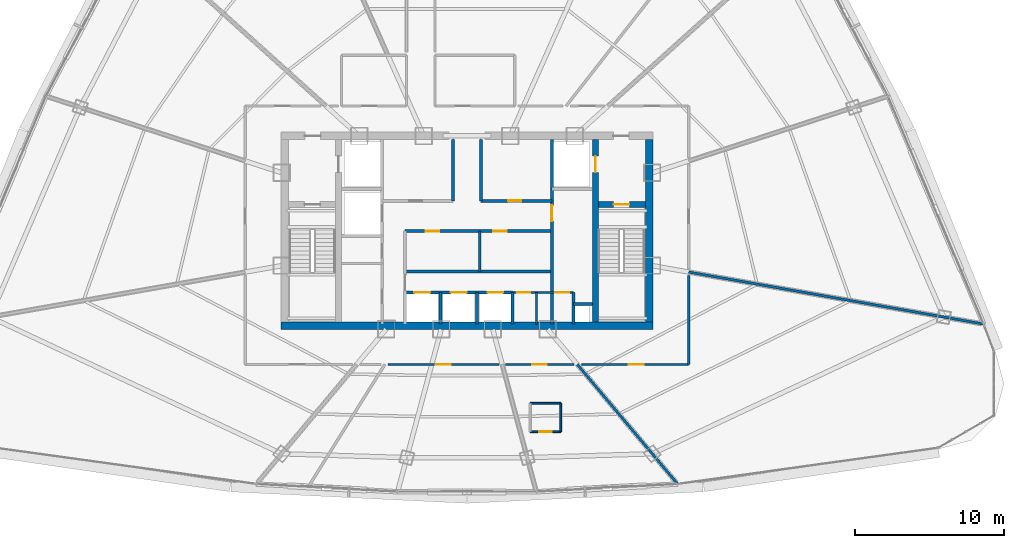
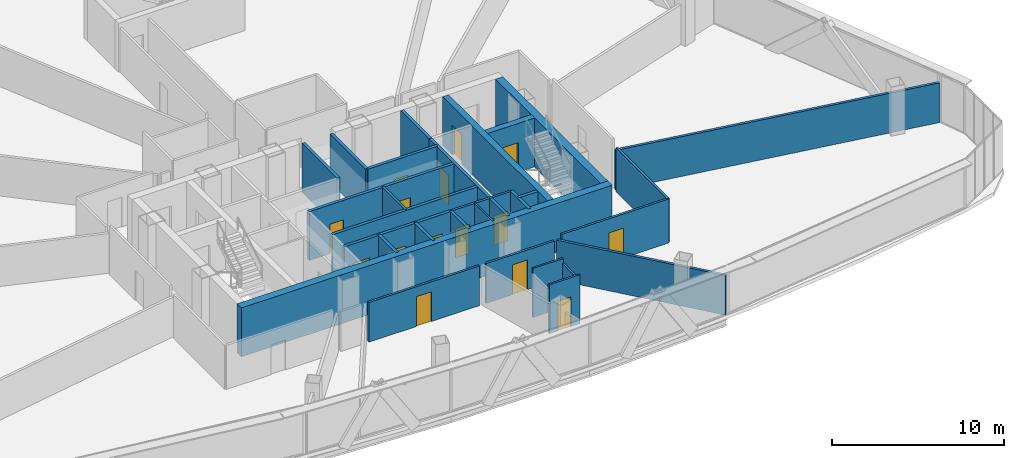
# One storey, part 31 of 36: 29 walls, 15 doors, 15 openings.
"""IFC4 building model written with IfcOpenShell, lengths in metres."""

from ifc_helpers import new_model, si_unit, direction, frame, frame_2d, origin, origin_with_axes, place, context, subcontext, project, spatial, rectangle, extrude, source, transform, mapped, material, layer, layer_set, type_object, element, fill, save


model = new_model("IFC4")

# Units and contexts
model_context = context("Model", 3, precision=1e-05, world=origin(), true_north=direction((0.0, 1.0)))
body_context = subcontext(model_context, "Body", "Model", "MODEL_VIEW")
ifc_project = project(units=[si_unit("LENGTHUNIT", "METRE"), si_unit("AREAUNIT", "SQUARE_METRE"), si_unit("VOLUMEUNIT", "CUBIC_METRE"), si_unit("PLANEANGLEUNIT", "RADIAN"), si_unit("MASSUNIT", "GRAM", prefix="KILO"), si_unit("THERMODYNAMICTEMPERATUREUNIT", "KELVIN"), si_unit("POWERUNIT", "WATT")], contexts=[model_context])

# Site, building, storey
site_placement = place(None, origin())
site = spatial("IfcSite", under=ifc_project, at=site_placement, CompositionType="ELEMENT")
building_placement = place(site_placement, origin())
building = spatial("IfcBuilding", under=site, at=building_placement, Name="Yunzhuo Pagoda Commons", CompositionType="ELEMENT")
storey_placement = place(building_placement, frame((0.0, 0.0, 244.530029296875)))
storey = spatial("IfcBuildingStorey", under=building, at=storey_placement, Name="L61", CompositionType="ELEMENT", Elevation=244.530029296875)

# Walls
ifc_material_1 = material(Name="Concrete C50", Category="concrete")
ifc_layer_1 = layer(ifc_material_1, 0.5)
ifc_layer_set_1 = layer_set([ifc_layer_1], Name="Concrete C50")
wall_type_1 = type_object("IfcWallType", Name="W-C03 Upper Core Shear Wall 500", PredefinedType="SHEAR", material=ifc_layer_set_1)
wall_1_placement = place(storey_placement, frame((35.550048828125, 27.5, 0.0), z_axis=(0.0, 0.0, 1.0), x_axis=(1.0, 0.0, 0.0)))
element("IfcWall", 1, at=wall_1_placement, inside=storey, type_object=wall_type_1, Name="L61 core shear wall S", PredefinedType="SHEAR", context=body_context, shape_type="SweptSolid", body=[
    extrude(rectangle(XDim=24.89990234375, YDim=0.5, at=frame_2d((12.449951171875, 0.0))), origin(), (0.0, 0.0, 1.0), 3.469970703125),
])
wall_2_placement = place(storey_placement, frame((60.199951171875, 27.75, 0.0), z_axis=(0.0, 0.0, 1.0), x_axis=(0.0, 1.0, 0.0)))
element("IfcWall", 2, at=wall_2_placement, inside=storey, type_object=wall_type_1, Name="L61 core shear wall E", PredefinedType="SHEAR", context=body_context, shape_type="SweptSolid", body=[
    extrude(rectangle(XDim=12.199951171875, YDim=0.5, at=frame_2d((6.10009765625, 0.0))), origin(), (0.0, 0.0, 1.0), 3.469970703125),
])
ifc_material_2 = material(Name="Gypsum plasterboard on acoustic stud")
ifc_layer_2 = layer(ifc_material_2, 0.14990234375)
ifc_layer_set_2 = layer_set([ifc_layer_2], Name="Gypsum plasterboard on acoustic stud")
wall_type_2 = type_object("IfcWallType", Name="W-COR3 High-Zone Rated Corridor Wall 150", PredefinedType="PARTITIONING", material=ifc_layer_set_2)
wall_3_placement = place(storey_placement, frame((48.85009765625, 31.1201171875, 0.0), z_axis=(0.0, 0.0, 1.0), x_axis=(0.0, 1.0, 0.0)))
element("IfcWall", 3, at=wall_3_placement, inside=storey, type_object=wall_type_2, Name="L61 interior wall IW-L61-FRMD", PredefinedType="PARTITIONING", context=body_context, shape_type="SweptSolid", body=[
    extrude(rectangle(XDim=2.699951171875, YDim=0.14990234375, at=frame_2d((1.35009765625, 0.0))), origin(), (0.0, 0.0, 1.0), 3.469970703125),
])

# Wall, openings, doors
wall_4_placement = place(storey_placement, frame((51.050048828125, 29.719970703125, 0.0), z_axis=(0.0, 0.0, 1.0), x_axis=(1.0, 0.0, 0.0)))
wall_4 = element("IfcWall", 4, at=wall_4_placement, inside=storey, type_object=wall_type_2, Name="L61 interior wall IW-L61-CSES", PredefinedType="PARTITIONING", context=body_context, shape_type="SweptSolid", body=[
    extrude(rectangle(XDim=4.070068359375, YDim=0.14990234375, at=frame_2d((2.03515625, 0.0))), origin(), (0.0, 0.0, 1.0), 3.469970703125),
])
opening_1_placement = place(wall_4_placement, frame((0.300048828125, 0.0, 0.0)))
opening_1 = element("IfcOpeningElement", 5, at=opening_1_placement, cuts=wall_4, Name="Opening D-03", PredefinedType="OPENING", context=body_context, shape_type="SweptSolid", body=[
    extrude(rectangle(XDim=0.89990234375, YDim=2.10009765625, at=frame_2d((0.449951171875, 1.050048828125))), frame((0.0, 0.0849609375, 0.0), z_axis=(0.0, -1.0, 0.0), x_axis=(1.0, 0.0, 0.0)), (0.0, 0.0, 1.0), 0.169921875),
])
opening_2_placement = place(wall_4_placement, frame((2.860107421875, 0.0, 0.0)))
opening_2 = element("IfcOpeningElement", 6, at=opening_2_placement, cuts=wall_4, Name="Opening D-11", PredefinedType="OPENING", context=body_context, shape_type="SweptSolid", body=[
    extrude(rectangle(XDim=0.93994140625, YDim=2.10009765625, at=frame_2d((0.469970703125, 1.050048828125))), frame((0.0, 0.0849609375, 0.0), z_axis=(0.0, -1.0, 0.0), x_axis=(1.0, 0.0, 0.0)), (0.0, 0.0, 1.0), 0.169921875),
])
ifc_material_3 = material(Name="Galvanized fire-resisting metal leaf")
door_type_1 = type_object("IfcDoorType", Name="D-03 Core Service Fire Door 900x2100", OperationType="NOTDEFINED", PredefinedType="DOOR", material=ifc_material_3)
shared_shape_1 = source(origin(), body_context, "Body", "SweptSolid", [
    extrude(rectangle(XDim=0.89990234375, YDim=2.10009765625, at=frame_2d((0.449951171875, 1.050048828125))), frame((0.0, 0.02490234375, 0.0), z_axis=(0.0, -1.0, 0.0), x_axis=(1.0, 0.0, 0.0)), (0.0, 0.0, 1.0), 0.050048828125),
])
door_1_placement = place(opening_1_placement, origin_with_axes())
door_1 = element("IfcDoor", 7, at=door_1_placement, inside=storey, type_object=door_type_1, Name="L61 cleaner door", OperationType="SINGLE_SWING_LEFT", OverallHeight=2.10009765625, OverallWidth=0.89990234375, PredefinedType="DOOR", context=body_context, shape_type="MappedRepresentation", body=[
    mapped(shared_shape_1, transform((0.0, 0.0, 0.0), scale=1.0)),
])
fill(opening_1, door_1)
door_type_2 = type_object("IfcDoorType", Name="D-11 Accessible Washroom Fire Door 940x2100", OperationType="NOTDEFINED", PredefinedType="DOOR", material=ifc_material_3)
shared_shape_2 = source(origin(), body_context, "Body", "SweptSolid", [
    extrude(rectangle(XDim=0.93994140625, YDim=2.10009765625, at=frame_2d((0.469970703125, 1.050048828125))), frame((0.0, 0.02490234375, 0.0), z_axis=(0.0, -1.0, 0.0), x_axis=(1.0, 0.0, 0.0)), (0.0, 0.0, 1.0), 0.050048828125),
])
door_2_placement = place(opening_2_placement, origin_with_axes())
door_2 = element("IfcDoor", 8, at=door_2_placement, inside=storey, type_object=door_type_2, Name="L61 core WC door", OperationType="SINGLE_SWING_RIGHT", OverallHeight=2.10009765625, OverallWidth=0.93994140625, PredefinedType="DOOR", context=body_context, shape_type="MappedRepresentation", body=[
    mapped(shared_shape_2, transform((0.0, 0.0, 0.0), scale=1.0)),
])
fill(opening_2, door_2)

# Wall
wall_5_placement = place(storey_placement, frame((62.85009765625, 30.858154296875, 0.0), z_axis=(0.0, 0.0, 1.0), x_axis=(0.0, -1.0, 0.0)))
element("IfcWall", 9, at=wall_5_placement, inside=storey, type_object=wall_type_2, Name="L61 interior wall IW-L61-CWL13", PredefinedType="PARTITIONING", context=body_context, shape_type="SweptSolid", body=[
    extrude(rectangle(XDim=5.958251953125, YDim=0.14990234375, at=frame_2d((2.97900390625, 0.0))), origin(), (0.0, 0.0, 1.0), 3.119873046875),
])

# Wall, opening, door
wall_6_placement = place(storey_placement, frame((62.85009765625, 24.89990234375, 0.0), z_axis=(0.0, 0.0, 1.0), x_axis=(-1.0, 0.0, 0.0)))
wall_6 = element("IfcWall", 10, at=wall_6_placement, inside=storey, type_object=wall_type_2, Name="L61 interior wall IW-L61-CWL14", PredefinedType="PARTITIONING", context=body_context, shape_type="SweptSolid", body=[
    extrude(rectangle(XDim=7.1787109375, YDim=0.14990234375, at=frame_2d((3.58935546875, 0.0))), origin(), (0.0, 0.0, 1.0), 3.119873046875),
])
opening_3_placement = place(wall_6_placement, frame((3.028076171875, 0.0, 0.0)))
opening_3 = element("IfcOpeningElement", 11, at=opening_3_placement, cuts=wall_6, Name="Opening D-08", PredefinedType="OPENING", context=body_context, shape_type="SweptSolid", body=[
    extrude(rectangle(XDim=0.97998046875, YDim=2.1201171875, at=frame_2d((0.489990234375, 1.06005859375))), frame((0.0, 0.0849609375, 0.0), z_axis=(0.0, -1.0, 0.0), x_axis=(1.0, 0.0, 0.0)), (0.0, 0.0, 1.0), 0.169921875),
])
door_type_3 = type_object("IfcDoorType", Name="D-08 High-Zone Suite Entrance Fire Door 980x2120", OperationType="NOTDEFINED", PredefinedType="DOOR", material=ifc_material_3)
shared_shape_3 = source(origin(), body_context, "Body", "SweptSolid", [
    extrude(rectangle(XDim=0.97998046875, YDim=2.1201171875, at=frame_2d((0.489990234375, 1.06005859375))), frame((0.0, 0.02490234375, 0.0), z_axis=(0.0, -1.0, 0.0), x_axis=(1.0, 0.0, 0.0)), (0.0, 0.0, 1.0), 0.050048828125),
])
door_3_placement = place(opening_3_placement, origin_with_axes())
door_3 = element("IfcDoor", 12, at=door_3_placement, inside=storey, type_object=door_type_3, Name="L61 unit 12 entrance door", OperationType="SINGLE_SWING_LEFT", OverallHeight=2.1201171875, OverallWidth=0.97998046875, PredefinedType="DOOR", context=body_context, shape_type="MappedRepresentation", body=[
    mapped(shared_shape_3, transform((0.0, 0.0, 0.0), scale=1.0)),
])
fill(opening_3, door_3)

wall_7_placement = place(storey_placement, frame((55.164306640625, 24.89990234375, 0.0), z_axis=(0.0, 0.0, 1.0), x_axis=(-1.0, 0.0, 0.0)))
wall_7 = element("IfcWall", 13, at=wall_7_placement, inside=storey, type_object=wall_type_2, Name="L61 interior wall IW-L61-CWL15", PredefinedType="PARTITIONING", context=body_context, shape_type="SweptSolid", body=[
    extrude(rectangle(XDim=4.57861328125, YDim=0.14990234375, at=frame_2d((2.289306640625, 0.0))), origin(), (0.0, 0.0, 1.0), 2.820068359375),
])
opening_4_placement = place(wall_7_placement, frame((1.818115234375, 0.0, 0.0)))
opening_4 = element("IfcOpeningElement", 14, at=opening_4_placement, cuts=wall_7, Name="Opening D-08", PredefinedType="OPENING", context=body_context, shape_type="SweptSolid", body=[
    extrude(rectangle(XDim=0.97998046875, YDim=2.1201171875, at=frame_2d((0.489990234375, 1.06005859375))), frame((0.0, 0.0849609375, 0.0), z_axis=(0.0, -1.0, 0.0), x_axis=(1.0, 0.0, 0.0)), (0.0, 0.0, 1.0), 0.169921875),
])
door_4_placement = place(opening_4_placement, origin_with_axes())
door_4 = element("IfcDoor", 15, at=door_4_placement, inside=storey, type_object=door_type_3, Name="L61 unit 11 entrance door", OperationType="SINGLE_SWING_RIGHT", OverallHeight=2.1201171875, OverallWidth=0.97998046875, PredefinedType="DOOR", context=body_context, shape_type="MappedRepresentation", body=[
    mapped(shared_shape_3, transform((0.0, 0.0, 0.0), scale=1.0)),
])
fill(opening_4, door_4)

wall_8_placement = place(storey_placement, frame((50.13818359375, 24.89990234375, 0.0), z_axis=(0.0, 0.0, 1.0), x_axis=(-1.0, 0.0, 0.0)))
wall_8 = element("IfcWall", 16, at=wall_8_placement, inside=storey, type_object=wall_type_2, Name="L61 interior wall IW-L61-CWL16", PredefinedType="PARTITIONING", context=body_context, shape_type="SweptSolid", body=[
    extrude(rectangle(XDim=7.417236328125, YDim=0.14990234375, at=frame_2d((3.70849609375, 0.0))), origin(), (0.0, 0.0, 1.0), 2.820068359375),
])
opening_5_placement = place(wall_8_placement, frame((3.233642578125, 0.0, 0.0)))
opening_5 = element("IfcOpeningElement", 17, at=opening_5_placement, cuts=wall_8, Name="Opening D-08", PredefinedType="OPENING", context=body_context, shape_type="SweptSolid", body=[
    extrude(rectangle(XDim=0.97998046875, YDim=2.1201171875, at=frame_2d((0.489990234375, 1.06005859375))), frame((0.0, 0.0849609375, 0.0), z_axis=(0.0, -1.0, 0.0), x_axis=(1.0, 0.0, 0.0)), (0.0, 0.0, 1.0), 0.169921875),
])
door_5_placement = place(opening_5_placement, origin_with_axes())
door_5 = element("IfcDoor", 18, at=door_5_placement, inside=storey, type_object=door_type_3, Name="L61 Resident Co-Living Commons Hall door", OperationType="SINGLE_SWING_LEFT", OverallHeight=2.1201171875, OverallWidth=0.97998046875, PredefinedType="DOOR", context=body_context, shape_type="MappedRepresentation", body=[
    mapped(shared_shape_3, transform((0.0, 0.0, 0.0), scale=1.0)),
])
fill(opening_5, door_5)

# Wall
ifc_layer_3 = layer(ifc_material_2, 0.1201171875)
ifc_layer_set_3 = layer_set([ifc_layer_3], Name="Gypsum plasterboard on acoustic stud")
wall_type_3 = type_object("IfcWallType", Name="W-PRT1 Suite & Bathroom Partition 120", PredefinedType="PARTITIONING", material=ifc_layer_set_3)
wall_9_placement = place(storey_placement, frame((52.64990234375, 27.60009765625, 0.0), z_axis=(0.0, 0.0, 1.0), x_axis=(0.0, 1.0, 0.0)))
element("IfcWall", 19, at=wall_9_placement, inside=storey, type_object=wall_type_3, Name="L61 interior wall IW-L61-CD2", PredefinedType="PARTITIONING", context=body_context, shape_type="SweptSolid", body=[
    extrude(rectangle(XDim=2.119873046875, YDim=0.1201171875, at=frame_2d((1.06005859375, 0.0))), origin(), (0.0, 0.0, 1.0), 3.469970703125),
])

# Wall, opening, door
wall_10_placement = place(storey_placement, frame((52.22900390625, 20.389892578125, 0.0), z_axis=(0.0, 0.0, 1.0), x_axis=(1.0, 0.0, 0.0)))
wall_10 = element("IfcWall", 20, at=wall_10_placement, inside=storey, type_object=wall_type_3, Name="L61 interior wall IW-L61-B11S", PredefinedType="PARTITIONING", context=body_context, shape_type="SweptSolid", body=[
    extrude(rectangle(XDim=2.050048828125, YDim=0.1201171875, at=frame_2d((1.02490234375, 0.0))), origin(), (0.0, 0.0, 1.0), 3.469970703125),
])
opening_6_placement = place(wall_10_placement, frame((0.60009765625, 0.0, 0.0)))
opening_6 = element("IfcOpeningElement", 21, at=opening_6_placement, cuts=wall_10, Name="Opening D-05", PredefinedType="OPENING", context=body_context, shape_type="SweptSolid", body=[
    extrude(rectangle(XDim=0.85009765625, YDim=2.10009765625, at=frame_2d((0.425048828125, 1.050048828125))), frame((0.0, 0.070068359375, 0.0), z_axis=(0.0, -1.0, 0.0), x_axis=(1.0, 0.0, 0.0)), (0.0, 0.0, 1.0), 0.14013671875),
])
ifc_material_4 = material(Name="Powder-coated aluminium and timber acoustic leaf", Category="wood")
door_type_4 = type_object("IfcDoorType", Name="D-05 En-Suite Bathroom Door 850x2100", OperationType="NOTDEFINED", PredefinedType="DOOR", material=ifc_material_4)
shared_shape_4 = source(origin(), body_context, "Body", "SweptSolid", [
    extrude(rectangle(XDim=0.85009765625, YDim=2.10009765625, at=frame_2d((0.425048828125, 1.050048828125))), frame((0.0, 0.02490234375, 0.0), z_axis=(0.0, -1.0, 0.0), x_axis=(1.0, 0.0, 0.0)), (0.0, 0.0, 1.0), 0.050048828125),
])
door_6_placement = place(opening_6_placement, frame((0.85009765625, 0.0, 0.0), z_axis=(0.0, 0.0, 1.0), x_axis=(-1.0, 0.0, 0.0)))
door_6 = element("IfcDoor", 22, at=door_6_placement, inside=storey, type_object=door_type_4, Name="L61 unit 11 bathroom door", OperationType="SINGLE_SWING_RIGHT", OverallHeight=2.10009765625, OverallWidth=0.85009765625, PredefinedType="DOOR", context=body_context, shape_type="MappedRepresentation", body=[
    mapped(shared_shape_4, transform((0.0, 0.0, 0.0), scale=1.0)),
])
fill(opening_6, door_6)

# Walls
wall_11_placement = place(storey_placement, frame((54.279052734375, 20.389892578125, 0.0), z_axis=(0.0, 0.0, 1.0), x_axis=(0.0, 1.0, 0.0)))
element("IfcWall", 23, at=wall_11_placement, inside=storey, type_object=wall_type_3, Name="L61 interior wall IW-L61-B11E", PredefinedType="PARTITIONING", context=body_context, shape_type="SweptSolid", body=[
    extrude(rectangle(XDim=1.900146484375, YDim=0.1201171875, at=frame_2d((0.9501953125, 0.0))), origin(), (0.0, 0.0, 1.0), 3.119873046875),
])
wall_12_placement = place(storey_placement, frame((54.279052734375, 22.2900390625, 0.0), z_axis=(0.0, 0.0, 1.0), x_axis=(-1.0, 0.0, 0.0)))
element("IfcWall", 24, at=wall_12_placement, inside=storey, type_object=wall_type_3, Name="L61 interior wall IW-L61-B11N", PredefinedType="PARTITIONING", context=body_context, shape_type="SweptSolid", body=[
    extrude(rectangle(XDim=2.050048828125, YDim=0.1201171875, at=frame_2d((1.02490234375, 0.0))), origin(), (0.0, 0.0, 1.0), 3.469970703125),
])
ifc_layer_4 = layer(ifc_material_2, 0.169921875)
ifc_layer_set_4 = layer_set([ifc_layer_4], Name="Gypsum plasterboard on acoustic stud")
wall_type_4 = type_object("IfcWallType", Name="W-PRT4 High-Zone Demising Wall 170", PredefinedType="PARTITIONING", material=ifc_layer_set_4)
wall_13_placement = place(storey_placement, frame((55.384033203125, 24.89990234375, 0.0), z_axis=(0.0, 0.0, 1.0), x_axis=(0.642788120563, -0.766044014443, 0.0)))
element("IfcWall", 25, at=wall_13_placement, inside=storey, type_object=wall_type_4, Name="L61 interior wall IW-L61-RAD11", PredefinedType="PARTITIONING", context=body_context, shape_type="SweptSolid", body=[
    extrude(rectangle(XDim=10.46240234375, YDim=0.169921875, at=frame_2d((5.231201171875, 0.0))), origin(), (0.0, 0.0, 1.0), 2.820068359375),
])
wall_14_placement = place(storey_placement, frame((62.85009765625, 31.08154296875, 0.0), z_axis=(0.0, 0.0, 1.0), x_axis=(0.984808421785, -0.173644384824, 0.0)))
element("IfcWall", 26, at=wall_14_placement, inside=storey, type_object=wall_type_4, Name="L61 interior wall IW-L61-RAD12", PredefinedType="PARTITIONING", context=body_context, shape_type="SweptSolid", body=[
    extrude(rectangle(XDim=20.05908203125, YDim=0.169921875, at=frame_2d((10.029541015625, 0.0))), origin(), (0.0, 0.0, 1.0), 2.820068359375),
])

# Wall, opening, door
ifc_material_5 = material(Name="Concrete C60", Category="concrete")
ifc_layer_5 = layer(ifc_material_5, 0.39990234375)
ifc_layer_set_5 = layer_set([ifc_layer_5], Name="Concrete C60")
wall_type_5 = type_object("IfcWallType", Name="W-S01 Internal Core Shear Web 400", PredefinedType="SHEAR", material=ifc_layer_set_5)
wall_15_placement = place(storey_placement, frame((56.60009765625, 27.75, 0.0), z_axis=(0.0, 0.0, 1.0), x_axis=(0.0, 1.0, 0.0)))
wall_15 = element("IfcWall", 27, at=wall_15_placement, inside=storey, type_object=wall_type_5, Name="L61 core shear wall WEBE", PredefinedType="SHEAR", context=body_context, shape_type="SweptSolid", body=[
    extrude(rectangle(XDim=12.199951171875, YDim=0.39990234375, at=frame_2d((6.10009765625, 0.0))), origin(), (0.0, 0.0, 1.0), 3.469970703125),
])
opening_7_placement = place(wall_15_placement, frame((10.0, 0.0, 0.0)))
opening_7 = element("IfcOpeningElement", 28, at=opening_7_placement, cuts=wall_15, Name="Opening LD-01", PredefinedType="OPENING", context=body_context, shape_type="SweptSolid", body=[
    extrude(rectangle(XDim=1.10009765625, YDim=2.10009765625, at=frame_2d((0.550048828125, 1.050048828125))), frame((0.0, 0.2099609375, 0.0), z_axis=(0.0, -1.0, 0.0), x_axis=(1.0, 0.0, 0.0)), (0.0, 0.0, 1.0), 0.419921875),
])
door_type_5 = type_object("IfcDoorType", Name="LD-01 Firefighting Lift Landing Door 1100x2100", OperationType="DOUBLE_DOOR_SLIDING", PredefinedType="DOOR", material=ifc_material_3)
shared_shape_5 = source(origin(), body_context, "Body", "SweptSolid", [
    extrude(rectangle(XDim=1.10009765625, YDim=2.10009765625, at=frame_2d((0.550048828125, 1.050048828125))), frame((0.0, 0.02490234375, 0.0), z_axis=(0.0, -1.0, 0.0), x_axis=(1.0, 0.0, 0.0)), (0.0, 0.0, 1.0), 0.050048828125),
])
door_7_placement = place(opening_7_placement, origin_with_axes())
door_7 = element("IfcDoor", 29, at=door_7_placement, inside=storey, type_object=door_type_5, Name="L61 Firefighting lift FL-2 landing door", OperationType="DOUBLE_DOOR_SLIDING", OverallHeight=2.10009765625, OverallWidth=1.10009765625, PredefinedType="DOOR", context=body_context, shape_type="MappedRepresentation", body=[
    mapped(shared_shape_5, transform((0.0, 0.0, 0.0), scale=1.0)),
])
fill(opening_7, door_7)

wall_16_placement = place(storey_placement, frame((56.800048828125, 35.60009765625, 0.0), z_axis=(0.0, 0.0, 1.0), x_axis=(1.0, 0.0, 0.0)))
wall_16 = element("IfcWall", 30, at=wall_16_placement, inside=storey, type_object=wall_type_5, Name="L61 core shear wall STE", PredefinedType="SHEAR", context=body_context, shape_type="SweptSolid", body=[
    extrude(rectangle(XDim=3.14990234375, YDim=0.39990234375, at=frame_2d((1.574951171875, 0.0))), origin(), (0.0, 0.0, 1.0), 3.469970703125),
])
opening_8_placement = place(wall_16_placement, frame((1.02001953125, 0.0, 0.0)))
opening_8 = element("IfcOpeningElement", 31, at=opening_8_placement, cuts=wall_16, Name="Opening D-01", PredefinedType="OPENING", context=body_context, shape_type="SweptSolid", body=[
    extrude(rectangle(XDim=1.050048828125, YDim=2.10009765625, at=frame_2d((0.52490234375, 1.050048828125))), frame((0.0, 0.2099609375, 0.0), z_axis=(0.0, -1.0, 0.0), x_axis=(1.0, 0.0, 0.0)), (0.0, 0.0, 1.0), 0.419921875),
])
door_type_6 = type_object("IfcDoorType", Name="D-01 Smokeproof Stair Fire Door 1050x2100", OperationType="NOTDEFINED", PredefinedType="DOOR", material=ifc_material_3)
shared_shape_6 = source(origin(), body_context, "Body", "SweptSolid", [
    extrude(rectangle(XDim=1.050048828125, YDim=2.10009765625, at=frame_2d((0.52490234375, 1.050048828125))), frame((0.0, 0.02490234375, 0.0), z_axis=(0.0, -1.0, 0.0), x_axis=(1.0, 0.0, 0.0)), (0.0, 0.0, 1.0), 0.050048828125),
])
door_8_placement = place(opening_8_placement, frame((1.050048828125, 0.0, 0.0), z_axis=(0.0, 0.0, 1.0), x_axis=(-1.0, 0.0, 0.0)))
door_8 = element("IfcDoor", 32, at=door_8_placement, inside=storey, type_object=door_type_6, Name="L61 Stair ST2 fire door", OperationType="SINGLE_SWING_RIGHT", OverallHeight=2.10009765625, OverallWidth=1.050048828125, PredefinedType="DOOR", context=body_context, shape_type="MappedRepresentation", body=[
    mapped(shared_shape_6, transform((0.0, 0.0, 0.0), scale=1.0)),
])
fill(opening_8, door_8)

# Wall
ifc_material_6 = material(Name="Concrete C40", Category="concrete")
ifc_layer_6 = layer(ifc_material_6, 0.199951171875)
ifc_layer_set_6 = layer_set([ifc_layer_6], Name="Concrete C40")
wall_type_6 = type_object("IfcWallType", Name="W-SHF Shaft & Stair Enclosure Wall 200", PredefinedType="SOLIDWALL", material=ifc_layer_set_6)
wall_17_placement = place(storey_placement, frame((53.679931640625, 36.64990234375, 0.0), z_axis=(0.0, 0.0, 1.0), x_axis=(0.0, 1.0, 0.0)))
element("IfcWall", 33, at=wall_17_placement, inside=storey, type_object=wall_type_6, Name="L61 interior wall IW-L61-FL2W", PredefinedType="SOLIDWALL", context=body_context, shape_type="SweptSolid", body=[
    extrude(rectangle(XDim=3.300048828125, YDim=0.199951171875, at=frame_2d((1.64990234375, 0.0))), origin(), (0.0, 0.0, 1.0), 3.469970703125),
])

# Wall, opening, door
wall_18_placement = place(storey_placement, frame((48.949951171875, 35.85009765625, 0.0), z_axis=(0.0, 0.0, 1.0), x_axis=(1.0, 0.0, 0.0)))
wall_18 = element("IfcWall", 34, at=wall_18_placement, inside=storey, type_object=wall_type_6, Name="L61 interior wall IW-L61-LBNE", PredefinedType="SOLIDWALL", context=body_context, shape_type="SweptSolid", body=[
    extrude(rectangle(XDim=4.72998046875, YDim=0.199951171875, at=frame_2d((2.364990234375, 0.0))), origin(), (0.0, 0.0, 1.0), 3.469970703125),
])
opening_9_placement = place(wall_18_placement, frame((1.800048828125, 0.0, 0.0)))
opening_9 = element("IfcOpeningElement", 35, at=opening_9_placement, cuts=wall_18, Name="Opening D-03", PredefinedType="OPENING", context=body_context, shape_type="SweptSolid", body=[
    extrude(rectangle(XDim=0.89990234375, YDim=2.10009765625, at=frame_2d((0.449951171875, 1.050048828125))), frame((0.0, 0.10986328125, 0.0), z_axis=(0.0, -1.0, 0.0), x_axis=(1.0, 0.0, 0.0)), (0.0, 0.0, 1.0), 0.219970703125),
])
door_9_placement = place(opening_9_placement, frame((0.89990234375, 0.0, 0.0), z_axis=(0.0, 0.0, 1.0), x_axis=(-1.0, 0.0, 0.0)))
door_9 = element("IfcDoor", 36, at=door_9_placement, inside=storey, type_object=door_type_1, Name="L61 core east store door", OperationType="SINGLE_SWING_RIGHT", OverallHeight=2.10009765625, OverallWidth=0.89990234375, PredefinedType="DOOR", context=body_context, shape_type="MappedRepresentation", body=[
    mapped(shared_shape_1, transform((0.0, 0.0, 0.0), scale=1.0)),
])
fill(opening_9, door_9)

# Walls
for number, where, z_axis, x_axis, name in (
    (37, (47.050048828125, 35.85009765625, 0.0), (0.0, 0.0, 1.0), (0.0, 1.0, 0.0), "L61 interior wall IW-L61-THRW"),
    (38, (48.949951171875, 35.85009765625, 0.0), (0.0, 0.0, 1.0), (0.0, 1.0, 0.0), "L61 interior wall IW-L61-THRE"),
):
    element("IfcWall", number, at=place(storey_placement, frame(where, z_axis=z_axis, x_axis=x_axis)), inside=storey, type_object=wall_type_6, Name=name, PredefinedType="SOLIDWALL", context=body_context, shape_type="SweptSolid", body=[
        extrude(rectangle(XDim=4.099853515625, YDim=0.199951171875, at=frame_2d((2.0498046875, 0.0))), origin(), (0.0, 0.0, 1.0), 3.469970703125),
    ])

# Wall, openings, doors
wall_19_placement = place(storey_placement, frame((43.85009765625, 33.820068359375, 0.0), z_axis=(0.0, 0.0, 1.0), x_axis=(1.0, 0.0, 0.0)))
wall_19 = element("IfcWall", 39, at=wall_19_placement, inside=storey, type_object=wall_type_6, Name="L61 interior wall IW-L61-MLBS", PredefinedType="SOLIDWALL", context=body_context, shape_type="SweptSolid", body=[
    extrude(rectangle(XDim=9.829833984375, YDim=0.199951171875, at=frame_2d((4.9150390625, 0.0))), origin(), (0.0, 0.0, 1.0), 3.469970703125),
])
opening_10_placement = place(wall_19_placement, frame((1.39990234375, 0.0, 0.0)))
opening_10 = element("IfcOpeningElement", 40, at=opening_10_placement, cuts=wall_19, Name="Opening D-03", PredefinedType="OPENING", context=body_context, shape_type="SweptSolid", body=[
    extrude(rectangle(XDim=0.89990234375, YDim=2.10009765625, at=frame_2d((0.449951171875, 1.050048828125))), frame((0.0, 0.10986328125, 0.0), z_axis=(0.0, -1.0, 0.0), x_axis=(1.0, 0.0, 0.0)), (0.0, 0.0, 1.0), 0.219970703125),
])
opening_11_placement = place(wall_19_placement, frame((5.89990234375, 0.0, 0.0)))
opening_11 = element("IfcOpeningElement", 41, at=opening_11_placement, cuts=wall_19, Name="Opening D-03", PredefinedType="OPENING", context=body_context, shape_type="SweptSolid", body=[
    extrude(rectangle(XDim=0.89990234375, YDim=2.10009765625, at=frame_2d((0.449951171875, 1.050048828125))), frame((0.0, 0.10986328125, 0.0), z_axis=(0.0, -1.0, 0.0), x_axis=(1.0, 0.0, 0.0)), (0.0, 0.0, 1.0), 0.219970703125),
])
door_10_placement = place(opening_10_placement, origin_with_axes())
door_10 = element("IfcDoor", 42, at=door_10_placement, inside=storey, type_object=door_type_1, Name="L61 core mid-west store door", OperationType="SINGLE_SWING_LEFT", OverallHeight=2.10009765625, OverallWidth=0.89990234375, PredefinedType="DOOR", context=body_context, shape_type="MappedRepresentation", body=[
    mapped(shared_shape_1, transform((0.0, 0.0, 0.0), scale=1.0)),
])
fill(opening_10, door_10)
door_11_placement = place(opening_11_placement, origin_with_axes())
door_11 = element("IfcDoor", 43, at=door_11_placement, inside=storey, type_object=door_type_1, Name="L61 core mid-east store door", OperationType="SINGLE_SWING_RIGHT", OverallHeight=2.10009765625, OverallWidth=0.89990234375, PredefinedType="DOOR", context=body_context, shape_type="MappedRepresentation", body=[
    mapped(shared_shape_1, transform((0.0, 0.0, 0.0), scale=1.0)),
])
fill(opening_11, door_11)

# Wall, opening, door
wall_20_placement = place(storey_placement, frame((53.679931640625, 27.60009765625, 0.0), z_axis=(0.0, 0.0, 1.0), x_axis=(0.0, 1.0, 0.0)))
wall_20 = element("IfcWall", 44, at=wall_20_placement, inside=storey, type_object=wall_type_6, Name="L61 interior wall IW-L61-PLME", PredefinedType="SOLIDWALL", context=body_context, shape_type="SweptSolid", body=[
    extrude(rectangle(XDim=9.0498046875, YDim=0.199951171875, at=frame_2d((4.52490234375, 0.0))), origin(), (0.0, 0.0, 1.0), 3.469970703125),
])
opening_12_placement = place(wall_20_placement, frame((6.89990234375, 0.0, 0.0)))
opening_12 = element("IfcOpeningElement", 45, at=opening_12_placement, cuts=wall_20, Name="Opening D-02", PredefinedType="OPENING", context=body_context, shape_type="SweptSolid", body=[
    extrude(rectangle(XDim=1.050048828125, YDim=2.10009765625, at=frame_2d((0.52490234375, 1.050048828125))), frame((0.0, 0.10986328125, 0.0), z_axis=(0.0, -1.0, 0.0), x_axis=(1.0, 0.0, 0.0)), (0.0, 0.0, 1.0), 0.219970703125),
])
door_type_7 = type_object("IfcDoorType", Name="D-02 Firefighting Lobby & Refuge Fire Door 1050x2100", OperationType="NOTDEFINED", PredefinedType="DOOR", material=ifc_material_3)
door_12_placement = place(opening_12_placement, origin_with_axes())
door_12 = element("IfcDoor", 46, at=door_12_placement, inside=storey, type_object=door_type_7, Name="L61 High-bank lift hall door", OperationType="SINGLE_SWING_RIGHT", OverallHeight=2.10009765625, OverallWidth=1.050048828125, PredefinedType="DOOR", context=body_context, shape_type="MappedRepresentation", body=[
    mapped(shared_shape_6, transform((0.0, 0.0, 0.0), scale=1.0)),
])
fill(opening_12, door_12)

# Wall, openings, doors
wall_21_placement = place(storey_placement, frame((43.85009765625, 29.719970703125, 0.0), z_axis=(0.0, 0.0, 1.0), x_axis=(1.0, 0.0, 0.0)))
wall_21 = element("IfcWall", 47, at=wall_21_placement, inside=storey, type_object=wall_type_6, Name="L61 interior wall IW-L61-PLHN", PredefinedType="SOLIDWALL", context=body_context, shape_type="SweptSolid", body=[
    extrude(rectangle(XDim=7.199951171875, YDim=0.199951171875, at=frame_2d((3.60009765625, 0.0))), origin(), (0.0, 0.0, 1.0), 3.469970703125),
])
opening_13_placement = place(wall_21_placement, frame((0.625, 0.0, 0.0)))
opening_13 = element("IfcOpeningElement", 48, at=opening_13_placement, cuts=wall_21, Name="Opening LD-02", PredefinedType="OPENING", context=body_context, shape_type="SweptSolid", body=[
    extrude(rectangle(XDim=1.050048828125, YDim=2.10009765625, at=frame_2d((0.52490234375, 1.050048828125))), frame((0.0, 0.10986328125, 0.0), z_axis=(0.0, -1.0, 0.0), x_axis=(1.0, 0.0, 0.0)), (0.0, 0.0, 1.0), 0.219970703125),
])
opening_14_placement = place(wall_21_placement, frame((3.074951171875, 0.0, 0.0)))
opening_14 = element("IfcOpeningElement", 49, at=opening_14_placement, cuts=wall_21, Name="Opening LD-02", PredefinedType="OPENING", context=body_context, shape_type="SweptSolid", body=[
    extrude(rectangle(XDim=1.050048828125, YDim=2.10009765625, at=frame_2d((0.52490234375, 1.050048828125))), frame((0.0, 0.10986328125, 0.0), z_axis=(0.0, -1.0, 0.0), x_axis=(1.0, 0.0, 0.0)), (0.0, 0.0, 1.0), 0.219970703125),
])
opening_15_placement = place(wall_21_placement, frame((5.52490234375, 0.0, 0.0)))
opening_15 = element("IfcOpeningElement", 50, at=opening_15_placement, cuts=wall_21, Name="Opening LD-02", PredefinedType="OPENING", context=body_context, shape_type="SweptSolid", body=[
    extrude(rectangle(XDim=1.050048828125, YDim=2.10009765625, at=frame_2d((0.52490234375, 1.050048828125))), frame((0.0, 0.10986328125, 0.0), z_axis=(0.0, -1.0, 0.0), x_axis=(1.0, 0.0, 0.0)), (0.0, 0.0, 1.0), 0.219970703125),
])
door_type_8 = type_object("IfcDoorType", Name="LD-02 Passenger Lift Landing Door 1050x2100", OperationType="DOUBLE_DOOR_SLIDING", PredefinedType="DOOR", material=ifc_material_3)
door_13_placement = place(opening_13_placement, origin_with_axes())
door_13 = element("IfcDoor", 51, at=door_13_placement, inside=storey, type_object=door_type_8, Name="L61 Passenger lift PL-H1 landing door", OperationType="DOUBLE_DOOR_SLIDING", OverallHeight=2.10009765625, OverallWidth=1.050048828125, PredefinedType="DOOR", context=body_context, shape_type="MappedRepresentation", body=[
    mapped(shared_shape_6, transform((0.0, 0.0, 0.0), scale=1.0)),
])
fill(opening_13, door_13)
door_14_placement = place(opening_14_placement, origin_with_axes())
door_14 = element("IfcDoor", 52, at=door_14_placement, inside=storey, type_object=door_type_8, Name="L61 Passenger lift PL-H2 landing door", OperationType="DOUBLE_DOOR_SLIDING", OverallHeight=2.10009765625, OverallWidth=1.050048828125, PredefinedType="DOOR", context=body_context, shape_type="MappedRepresentation", body=[
    mapped(shared_shape_6, transform((0.0, 0.0, 0.0), scale=1.0)),
])
fill(opening_14, door_14)
door_15_placement = place(opening_15_placement, origin_with_axes())
door_15 = element("IfcDoor", 53, at=door_15_placement, inside=storey, type_object=door_type_8, Name="L61 Passenger lift PL-H3 landing door", OperationType="DOUBLE_DOOR_SLIDING", OverallHeight=2.10009765625, OverallWidth=1.050048828125, PredefinedType="DOOR", context=body_context, shape_type="MappedRepresentation", body=[
    mapped(shared_shape_6, transform((0.0, 0.0, 0.0), scale=1.0)),
])
fill(opening_15, door_15)

# Walls
wall_22_placement = place(storey_placement, frame((51.050048828125, 27.60009765625, 0.0), z_axis=(0.0, 0.0, 1.0), x_axis=(0.0, 1.0, 0.0)))
element("IfcWall", 54, at=wall_22_placement, inside=storey, type_object=wall_type_6, Name="L61 interior wall IW-L61-PLHE", PredefinedType="SOLIDWALL", context=body_context, shape_type="SweptSolid", body=[
    extrude(rectangle(XDim=2.119873046875, YDim=0.199951171875, at=frame_2d((1.06005859375, 0.0))), origin(), (0.0, 0.0, 1.0), 3.469970703125),
])
wall_23_placement = place(storey_placement, frame((43.85009765625, 31.1201171875, 0.0), z_axis=(0.0, 0.0, 1.0), x_axis=(1.0, 0.0, 0.0)))
element("IfcWall", 55, at=wall_23_placement, inside=storey, type_object=wall_type_6, Name="L61 interior wall IW-L61-PLMS2", PredefinedType="SOLIDWALL", context=body_context, shape_type="SweptSolid", body=[
    extrude(rectangle(XDim=9.829833984375, YDim=0.199951171875, at=frame_2d((4.9150390625, 0.0))), origin(), (0.0, 0.0, 1.0), 3.469970703125),
])
for number, where, z_axis, x_axis, name in (
    (56, (46.22509765625, 27.60009765625, 0.0), (0.0, 0.0, 1.0), (0.0, 1.0, 0.0), "L61 interior wall IW-L61-PLHD1"),
    (57, (48.675048828125, 27.60009765625, 0.0), (0.0, 0.0, 1.0), (0.0, 1.0, 0.0), "L61 interior wall IW-L61-PLHD2"),
    (58, (55.1201171875, 27.60009765625, 0.0), (0.0, 0.0, 1.0), (0.0, 1.0, 0.0), "L61 interior wall IW-L61-RSHFW"),
):
    element("IfcWall", number, at=place(storey_placement, frame(where, z_axis=z_axis, x_axis=x_axis)), inside=storey, type_object=wall_type_6, Name=name, PredefinedType="SOLIDWALL", context=body_context, shape_type="SweptSolid", body=[
        extrude(rectangle(XDim=2.119873046875, YDim=0.199951171875, at=frame_2d((1.06005859375, 0.0))), origin(), (0.0, 0.0, 1.0), 3.469970703125),
    ])
wall_24_placement = place(storey_placement, frame((55.1201171875, 28.949951171875, 0.0), z_axis=(0.0, 0.0, 1.0), x_axis=(1.0, 0.0, 0.0)))
element("IfcWall", 59, at=wall_24_placement, inside=storey, type_object=wall_type_6, Name="L61 interior wall IW-L61-RSHFN", PredefinedType="SOLIDWALL", context=body_context, shape_type="SweptSolid", body=[
    extrude(rectangle(XDim=1.27978515625, YDim=0.199951171875, at=frame_2d((0.639892578125, 0.0))), origin(), (0.0, 0.0, 1.0), 3.469970703125),
])

save(model, "model.ifc")
